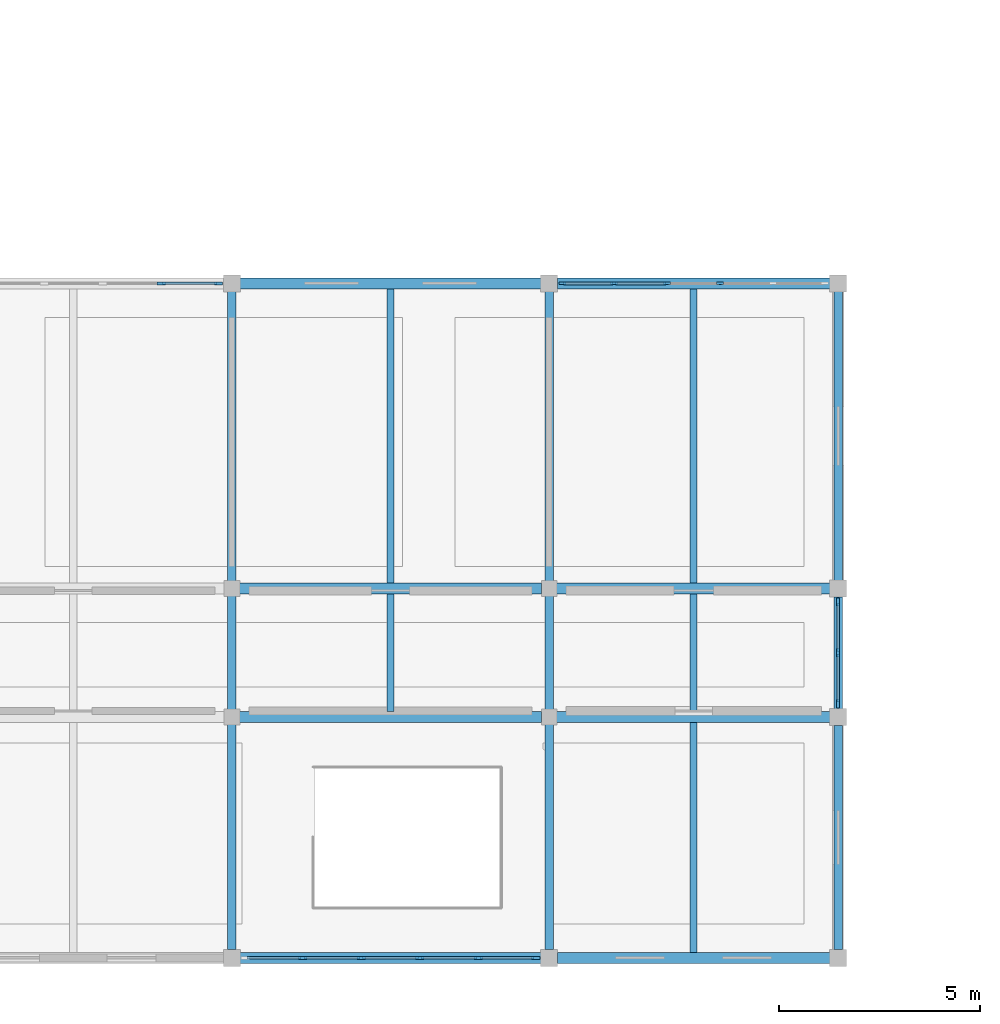
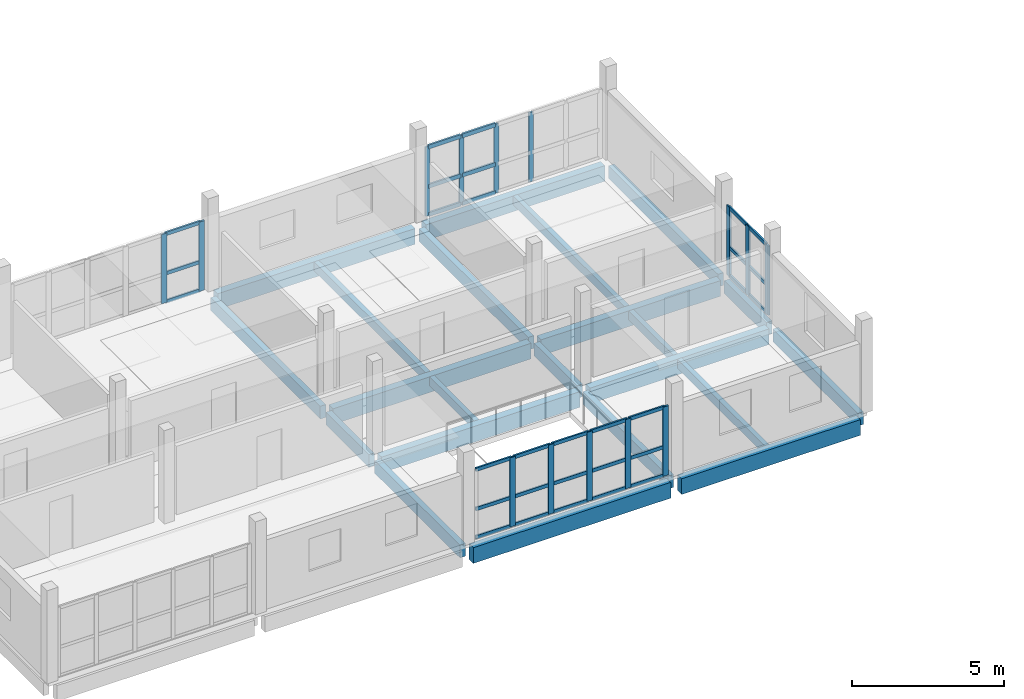
# One storey, part 15 of 66: 44 members, 22 beams, 4 elements without a shape of their own.
"""IFC4 building model written with IfcOpenShell, lengths in metres."""

import ifcopenshell
import ifcopenshell.guid

model = None  # the IFC model being written
_history = None  # IfcOwnerHistory: only IFC2X3 demands one
_inside = {}  # id of a spatial element -> (the spatial element, [elements in it])
_under = {}  # id of a project, library or spatial element -> (it, [spatial elements below it])
_declared = {}  # id of a project -> (the project, [libraries it declares])
_typed = {}  # id of a type object -> (the type object, [elements of that type])
_made_of = {}  # id of a material, layer set ... -> (it, [elements and type objects made of it])


def new_model(schema):
    """Start an empty IFC model of exactly this schema.

    Asked for "IFC4X3", IfcOpenShell would pick the latest addendum, in which some entities
    have other attributes; the version numbers below select the first issue.
    IFC2X3 requires an IfcOwnerHistory on every rooted entity: one is made here for all.
    """
    global model, _history
    if schema == "IFC4X3":
        model = ifcopenshell.file(schema_version=(4, 3, 0, 0))
    else:
        model = ifcopenshell.file(schema=schema)
    _inside.clear()
    _under.clear()
    _declared.clear()
    _typed.clear()
    _made_of.clear()
    _history = None
    if model.schema == "IFC2X3":
        org = make("IfcOrganization", Name="unknown")
        user = make(
            "IfcPersonAndOrganization",
            ThePerson=make("IfcPerson", FamilyName="unknown"),
            TheOrganization=org,
        )
        app = make(
            "IfcApplication",
            ApplicationDeveloper=org,
            Version="unknown",
            ApplicationFullName="unknown",
            ApplicationIdentifier="unknown",
        )
        _history = make(
            "IfcOwnerHistory",
            OwningUser=user,
            OwningApplication=app,
            ChangeAction="ADDED",
            CreationDate=0,
        )
    return model


def make(cls, **values):
    """One entity of the class cls with the attributes given. An attribute that is None is left unset."""
    return model.create_entity(
        cls, **{name: value for name, value in values.items() if value is not None}
    )


def rooted(cls, **values):
    """An entity with a GlobalId (a new one), such as an element, a storey or a relation."""
    return make(cls, GlobalId=ifcopenshell.guid.new(), OwnerHistory=_history, **values)


def si_unit(unit_type, name, prefix=None):
    """IfcSIUnit, for example si_unit("LENGTHUNIT", "METRE", prefix="MILLI")."""
    return make("IfcSIUnit", UnitType=unit_type, Prefix=prefix, Name=name)


def assignment(units):
    """IfcUnitAssignment: the units of a project."""
    return None if units is None else make("IfcUnitAssignment", Units=units)


def point(xyz):
    """IfcCartesianPoint."""
    return None if xyz is None else make("IfcCartesianPoint", Coordinates=xyz)


def direction(xyz):
    """IfcDirection."""
    return None if xyz is None else make("IfcDirection", DirectionRatios=xyz)


def frame(location, z_axis=None, x_axis=None):
    """IfcAxis2Placement3D, a coordinate frame: its origin and axes. An axis left out is left unset."""
    return make(
        "IfcAxis2Placement3D",
        Location=point(location),
        Axis=direction(z_axis),
        RefDirection=direction(x_axis),
    )


def frame_2d(location, x_axis=None):
    """IfcAxis2Placement2D, a coordinate frame in the plane: its origin and x axis."""
    return make(
        "IfcAxis2Placement2D", Location=point(location), RefDirection=direction(x_axis)
    )


def origin():
    """The frame at (0, 0, 0) with its axes left unset."""
    return frame((0.0, 0.0, 0.0))


def origin_2d():
    """The frame at (0, 0) in the plane with its x axis left unset."""
    return frame_2d((0.0, 0.0))


def place(relative_to, where):
    """IfcLocalPlacement: puts the frame where relative to a parent placement (None: the world)."""
    return make(
        "IfcLocalPlacement", PlacementRelTo=relative_to, RelativePlacement=where
    )


def context(
    kind, dimensions, precision=None, world=None, true_north=None, identifier=None
):
    """IfcGeometricRepresentationContext, for example the 3D "Model" context."""
    return make(
        "IfcGeometricRepresentationContext",
        ContextIdentifier=identifier,
        ContextType=kind,
        CoordinateSpaceDimension=dimensions,
        Precision=precision,
        WorldCoordinateSystem=world,
        TrueNorth=true_north,
    )


def subcontext(parent, identifier, kind, view, scale=None):
    """IfcGeometricRepresentationSubContext, for example "Body" below "Model"."""
    return make(
        "IfcGeometricRepresentationSubContext",
        ContextIdentifier=identifier,
        ContextType=kind,
        ParentContext=parent,
        TargetScale=scale,
        TargetView=view,
    )


def project(units=None, contexts=None):
    """IfcProject with its units and contexts."""
    return rooted(
        "IfcProject",
        Name="project",
        RepresentationContexts=contexts,
        UnitsInContext=assignment(units),
    )


def spatial(cls, under=None, at=None, **own):
    """A site, building, storey or space (cls), placed at a placement, below another one or the project."""
    s = rooted(cls, ObjectPlacement=at, **own)
    if under is not None:
        _under.setdefault(under.id(), (under, []))[1].append(s)
    return s


def profile(cls, at=None, kind="AREA", **sizes):
    """A parametric profile (cls). Its sizes go by their IFC names, for example OverallWidth=200.0."""
    return make(cls, ProfileType=kind, Position=at, **sizes)


def rectangle(**sizes):
    """IfcRectangleProfileDef."""
    return profile("IfcRectangleProfileDef", **sizes)


def extrude(swept, where, along, depth):
    """IfcExtrudedAreaSolid: the profile swept, set in the frame where, extruded along a direction by depth."""
    return make(
        "IfcExtrudedAreaSolid",
        SweptArea=swept,
        Position=where,
        ExtrudedDirection=direction(along),
        Depth=depth,
    )


def shape(context_of_items, identifier, shape_type, items):
    """IfcShapeRepresentation: the items that make up one representation, for example the "Body"."""
    return make(
        "IfcShapeRepresentation",
        ContextOfItems=context_of_items,
        RepresentationIdentifier=identifier,
        RepresentationType=shape_type,
        Items=items,
    )


def material(Name=None, Category=None):
    """IfcMaterial."""
    return make("IfcMaterial", Name=Name, Category=Category)


def layer(
    of_material, thickness, ventilated=None, Name=None, Category=None, Priority=None
):
    """IfcMaterialLayer: one layer of a wall or slab, of a material (None: an air gap)."""
    return make(
        "IfcMaterialLayer",
        Material=of_material,
        LayerThickness=thickness,
        IsVentilated=ventilated,
        Name=Name,
        Category=Category,
        Priority=Priority,
    )


def layer_set(layers, Name=None):
    """IfcMaterialLayerSet."""
    return make("IfcMaterialLayerSet", MaterialLayers=layers, LayerSetName=Name)


def material_profile(
    of_material, cross_section, Name=None, Category=None, Priority=None
):
    """IfcMaterialProfile: a cross section and its material."""
    return make(
        "IfcMaterialProfile",
        Name=Name,
        Material=of_material,
        Profile=cross_section,
        Priority=Priority,
        Category=Category,
    )


def profile_set(profiles, Name=None, composite=None):
    """IfcMaterialProfileSet."""
    return make(
        "IfcMaterialProfileSet",
        Name=Name,
        MaterialProfiles=profiles,
        CompositeProfile=composite,
    )


def made_of(thing, what):
    """Note that an element or type object is made of a material, layer set ...; save() writes the relation."""
    if what is not None:
        _made_of.setdefault(what.id(), (what, []))[1].append(thing)
    return thing


def type_object(cls, material=None, **own):
    """A type object (cls), such as IfcWallType, which elements share."""
    return made_of(rooted(cls, **own), material)


def element(
    cls,
    number,
    at=None,
    inside=None,
    cuts=None,
    type_object=None,
    material=None,
    context=None,
    identifier="Body",
    shape_type=None,
    held_by="IfcProductDefinitionShape",
    body=None,
    shapes=None,
    **own,
):
    """One element of the class cls, such as IfcWall. Its Tag is "e" and its number.

    at: its placement. inside: the storey or other place that contains it. cuts: it is an
    opening in that element (IfcRelVoidsElement). A single representation is given by context,
    identifier, shape_type and body (its items); several are given by shapes. held_by: the class
    of the entity that holds the representations. save() writes the other relations.
    """
    e = rooted(cls, Tag="e%d" % number, ObjectPlacement=at, **own)
    if body is not None:
        shapes = [shape(context, identifier, shape_type, body)]
    if shapes is not None:
        e.Representation = make(held_by, Representations=shapes)
    if inside is not None:
        _inside.setdefault(inside.id(), (inside, []))[1].append(e)
    if cuts is not None:
        rooted(
            "IfcRelVoidsElement", RelatingBuildingElement=cuts, RelatedOpeningElement=e
        )
    if type_object is not None:
        _typed.setdefault(type_object.id(), (type_object, []))[1].append(e)
    return made_of(e, material)


def aggregate(whole, parts):
    """IfcRelAggregates: a whole, such as a stair, and the parts it consists of."""
    return rooted("IfcRelAggregates", RelatingObject=whole, RelatedObjects=parts)


def save(model, path):
    """Write the relations noted so far, then the file.

    IfcRelAggregates (storeys below a building ...), IfcRelContainedInSpatialStructure (elements
    in a storey), IfcRelDefinesByType, IfcRelAssociatesMaterial and IfcRelDeclares: one each for
    every whole, place, type object, material and project.
    """
    for whole, parts in _under.values():
        aggregate(whole, parts)
    for where, things in _inside.values():
        rooted(
            "IfcRelContainedInSpatialStructure",
            RelatedElements=things,
            RelatingStructure=where,
        )
    for kind, things in _typed.values():
        rooted("IfcRelDefinesByType", RelatedObjects=things, RelatingType=kind)
    for what, things in _made_of.values():
        rooted("IfcRelAssociatesMaterial", RelatedObjects=things, RelatingMaterial=what)
    for by, libraries in _declared.values():
        rooted("IfcRelDeclares", RelatingContext=by, RelatedDefinitions=libraries)
    model.write(path)


model = new_model("IFC4")

# Units and contexts
model_context = context("Model", 3, precision=1e-05, world=origin(), true_north=direction((0.0, 1.0)))
body_context = subcontext(model_context, "Body", "Model", "MODEL_VIEW")
ifc_project = project(units=[si_unit("LENGTHUNIT", "METRE"), si_unit("AREAUNIT", "SQUARE_METRE"), si_unit("VOLUMEUNIT", "CUBIC_METRE"), si_unit("PLANEANGLEUNIT", "RADIAN"), si_unit("MASSUNIT", "GRAM", prefix="KILO")], contexts=[model_context])

# Site, building, storey
site_placement = place(None, origin())
site = spatial("IfcSite", under=ifc_project, at=site_placement, CompositionType="ELEMENT")
building_placement = place(site_placement, origin())
building = spatial("IfcBuilding", under=site, at=building_placement, Name="Caldaven Crescent School", CompositionType="ELEMENT")
storey_placement = place(building_placement, frame((0.0, 0.0, 8.159912109375)))
storey = spatial("IfcBuildingStorey", under=building, at=storey_placement, Name="L02", CompositionType="ELEMENT", Elevation=8.159912109375)

# Beams
ifc_material_1 = material(Name="Glulam MLE24h (GL28h)", Category="wood")
ifc_material_profile_1 = material_profile(ifc_material_1, rectangle(XDim=0.2099609375, YDim=0.510009765625, at=origin_2d()), Name="MLE 210x510")
ifc_profile_set_1 = profile_set([ifc_material_profile_1], Name="Glulam MLE24h (GL28h)")
beam_type_1 = type_object("IfcBeamType", Name="BM-GL51", PredefinedType="BEAM", material=ifc_profile_set_1)
beam_1_placement = place(storey_placement, frame((41.300048828125, 4.405029296875, -0.5048828125), z_axis=(0.0, 1.0, 0.0), x_axis=(-1.0, 0.0, 0.0)))
element("IfcBeam", 1, at=beam_1_placement, inside=storey, type_object=beam_type_1, Name="BMY-V4S-L02-0652", PredefinedType="BEAM", context=body_context, shape_type="SweptSolid", body=[
    extrude(rectangle(XDim=0.2099609375, YDim=0.510009765625, at=origin_2d()), origin(), (0.0, 0.0, 1.0), 5.60498046875),
])
beam_2_placement = place(storey_placement, frame((41.300048828125, 10.389892578125, -0.5048828125), z_axis=(0.0, 1.0, 0.0), x_axis=(-1.0, 0.0, 0.0)))
element("IfcBeam", 2, at=beam_2_placement, inside=storey, type_object=beam_type_1, Name="BMY-V4S-L02-0653", PredefinedType="BEAM", context=body_context, shape_type="SweptSolid", body=[
    extrude(rectangle(XDim=0.2099609375, YDim=0.510009765625, at=origin_2d()), origin(), (0.0, 0.0, 1.0), 2.820068359375),
])
beam_3_placement = place(storey_placement, frame((41.300048828125, 13.590087890625, -0.5048828125), z_axis=(0.0, 1.0, 0.0), x_axis=(-1.0, 0.0, 0.0)))
element("IfcBeam", 3, at=beam_3_placement, inside=storey, type_object=beam_type_1, Name="BMY-V4S-L02-0654", PredefinedType="BEAM", context=body_context, shape_type="SweptSolid", body=[
    extrude(rectangle(XDim=0.2099609375, YDim=0.510009765625, at=origin_2d()), origin(), (0.0, 0.0, 1.0), 7.204833984375),
])
beam_4_placement = place(storey_placement, frame((49.199951171875, 4.405029296875, -0.5048828125), z_axis=(0.0, 1.0, 0.0), x_axis=(-1.0, 0.0, 0.0)))
element("IfcBeam", 4, at=beam_4_placement, inside=storey, type_object=beam_type_1, Name="BMY-V4S-L02-0655", PredefinedType="BEAM", context=body_context, shape_type="SweptSolid", body=[
    extrude(rectangle(XDim=0.2099609375, YDim=0.510009765625, at=origin_2d()), origin(), (0.0, 0.0, 1.0), 5.60498046875),
])
beam_5_placement = place(storey_placement, frame((49.199951171875, 10.389892578125, -0.5048828125), z_axis=(0.0, 1.0, 0.0), x_axis=(-1.0, 0.0, 0.0)))
element("IfcBeam", 5, at=beam_5_placement, inside=storey, type_object=beam_type_1, Name="BMY-V4S-L02-0656", PredefinedType="BEAM", context=body_context, shape_type="SweptSolid", body=[
    extrude(rectangle(XDim=0.2099609375, YDim=0.510009765625, at=origin_2d()), origin(), (0.0, 0.0, 1.0), 2.820068359375),
])
beam_6_placement = place(storey_placement, frame((49.199951171875, 13.590087890625, -0.5048828125), z_axis=(0.0, 1.0, 0.0), x_axis=(-1.0, 0.0, 0.0)))
element("IfcBeam", 6, at=beam_6_placement, inside=storey, type_object=beam_type_1, Name="BMY-V4S-L02-0657", PredefinedType="BEAM", context=body_context, shape_type="SweptSolid", body=[
    extrude(rectangle(XDim=0.2099609375, YDim=0.510009765625, at=origin_2d()), origin(), (0.0, 0.0, 1.0), 7.204833984375),
])
beam_7_placement = place(storey_placement, frame((56.39990234375, 4.405029296875, -0.5048828125), z_axis=(0.0, 1.0, 0.0), x_axis=(-1.0, 0.0, 0.0)))
element("IfcBeam", 7, at=beam_7_placement, inside=storey, type_object=beam_type_1, Name="BMY-V4S-L02-0658", PredefinedType="BEAM", context=body_context, shape_type="SweptSolid", body=[
    extrude(rectangle(XDim=0.2099609375, YDim=0.510009765625, at=origin_2d()), origin(), (0.0, 0.0, 1.0), 5.590087890625),
])
beam_8_placement = place(storey_placement, frame((56.39990234375, 10.405029296875, -0.5048828125), z_axis=(0.0, 1.0, 0.0), x_axis=(-1.0, 0.0, 0.0)))
element("IfcBeam", 8, at=beam_8_placement, inside=storey, type_object=beam_type_1, Name="BMY-V4S-L02-0659", PredefinedType="BEAM", context=body_context, shape_type="SweptSolid", body=[
    extrude(rectangle(XDim=0.2099609375, YDim=0.510009765625, at=origin_2d()), origin(), (0.0, 0.0, 1.0), 2.7900390625),
])
beam_9_placement = place(storey_placement, frame((56.39990234375, 13.60498046875, -0.5048828125), z_axis=(0.0, 1.0, 0.0), x_axis=(-1.0, 0.0, 0.0)))
element("IfcBeam", 9, at=beam_9_placement, inside=storey, type_object=beam_type_1, Name="BMY-V4S-L02-0660", PredefinedType="BEAM", context=body_context, shape_type="SweptSolid", body=[
    extrude(rectangle(XDim=0.2099609375, YDim=0.510009765625, at=origin_2d()), origin(), (0.0, 0.0, 1.0), 7.18994140625),
])
ifc_material_profile_2 = material_profile(ifc_material_1, rectangle(XDim=0.280029296875, YDim=0.6298828125, at=origin_2d()), Name="MLE 280x630")
ifc_profile_set_2 = profile_set([ifc_material_profile_2], Name="Glulam MLE24h (GL28h)")
beam_type_2 = type_object("IfcBeamType", Name="BM-GL63", PredefinedType="BEAM", material=ifc_profile_set_2)
beam_10_placement = place(storey_placement, frame((41.5048828125, 4.199951171875, -0.56494140625), z_axis=(1.0, 0.0, 0.0), x_axis=(0.0, 1.0, 0.0)))
element("IfcBeam", 10, at=beam_10_placement, inside=storey, type_object=beam_type_2, Name="BMX-V4S-L02-0632", PredefinedType="BEAM", context=body_context, shape_type="SweptSolid", body=[
    extrude(rectangle(XDim=0.280029296875, YDim=0.6298828125, at=origin_2d()), origin(), (0.0, 0.0, 1.0), 7.490234375),
])
beam_11_placement = place(storey_placement, frame((49.405029296875, 4.199951171875, -0.56494140625), z_axis=(1.0, 0.0, 0.0), x_axis=(0.0, 1.0, 0.0)))
element("IfcBeam", 11, at=beam_11_placement, inside=storey, type_object=beam_type_2, Name="BMX-V4S-L02-0633", PredefinedType="BEAM", context=body_context, shape_type="SweptSolid", body=[
    extrude(rectangle(XDim=0.280029296875, YDim=0.6298828125, at=origin_2d()), origin(), (0.0, 0.0, 1.0), 6.7900390625),
])
beam_12_placement = place(storey_placement, frame((41.489990234375, 10.199951171875, -0.56494140625), z_axis=(1.0, 0.0, 0.0), x_axis=(0.0, 1.0, 0.0)))
element("IfcBeam", 12, at=beam_12_placement, inside=storey, type_object=beam_type_2, Name="BMX-V4S-L02-0636", PredefinedType="BEAM", context=body_context, shape_type="SweptSolid", body=[
    extrude(rectangle(XDim=0.280029296875, YDim=0.6298828125, at=origin_2d()), origin(), (0.0, 0.0, 1.0), 7.52001953125),
])
beam_13_placement = place(storey_placement, frame((49.389892578125, 10.199951171875, -0.56494140625), z_axis=(1.0, 0.0, 0.0), x_axis=(0.0, 1.0, 0.0)))
element("IfcBeam", 13, at=beam_13_placement, inside=storey, type_object=beam_type_2, Name="BMX-V4S-L02-0637", PredefinedType="BEAM", context=body_context, shape_type="SweptSolid", body=[
    extrude(rectangle(XDim=0.280029296875, YDim=0.6298828125, at=origin_2d()), origin(), (0.0, 0.0, 1.0), 6.80517578125),
])
beam_14_placement = place(storey_placement, frame((41.489990234375, 13.39990234375, -0.56494140625), z_axis=(1.0, 0.0, 0.0), x_axis=(0.0, 1.0, 0.0)))
element("IfcBeam", 14, at=beam_14_placement, inside=storey, type_object=beam_type_2, Name="BMX-V4S-L02-0640", PredefinedType="BEAM", context=body_context, shape_type="SweptSolid", body=[
    extrude(rectangle(XDim=0.280029296875, YDim=0.6298828125, at=origin_2d()), origin(), (0.0, 0.0, 1.0), 7.52001953125),
])
beam_15_placement = place(storey_placement, frame((49.389892578125, 13.39990234375, -0.56494140625), z_axis=(1.0, 0.0, 0.0), x_axis=(0.0, 1.0, 0.0)))
element("IfcBeam", 15, at=beam_15_placement, inside=storey, type_object=beam_type_2, Name="BMX-V4S-L02-0641", PredefinedType="BEAM", context=body_context, shape_type="SweptSolid", body=[
    extrude(rectangle(XDim=0.280029296875, YDim=0.6298828125, at=origin_2d()), origin(), (0.0, 0.0, 1.0), 6.80517578125),
])
beam_16_placement = place(storey_placement, frame((41.5048828125, 21.0, -0.56494140625), z_axis=(1.0, 0.0, 0.0), x_axis=(0.0, 1.0, 0.0)))
element("IfcBeam", 16, at=beam_16_placement, inside=storey, type_object=beam_type_2, Name="BMX-V4S-L02-0644", PredefinedType="BEAM", context=body_context, shape_type="SweptSolid", body=[
    extrude(rectangle(XDim=0.280029296875, YDim=0.6298828125, at=origin_2d()), origin(), (0.0, 0.0, 1.0), 7.490234375),
])
beam_17_placement = place(storey_placement, frame((49.405029296875, 21.0, -0.56494140625), z_axis=(1.0, 0.0, 0.0), x_axis=(0.0, 1.0, 0.0)))
element("IfcBeam", 17, at=beam_17_placement, inside=storey, type_object=beam_type_2, Name="BMX-V4S-L02-0645", PredefinedType="BEAM", context=body_context, shape_type="SweptSolid", body=[
    extrude(rectangle(XDim=0.280029296875, YDim=0.6298828125, at=origin_2d()), origin(), (0.0, 0.0, 1.0), 6.7900390625),
])

# Curtain wall, members
ifc_material_2 = material(Name="Anodised aluminium AA 6063-T6 and low-E double glazing", Category="aluminium")
ifc_layer_1 = layer(ifc_material_2, 0.169921875)
ifc_layer_set_1 = layer_set([ifc_layer_1], Name="Anodised aluminium AA 6063-T6 and low-E double glazing")
curtain_wall_type_1 = type_object("IfcCurtainWallType", Name="CW-SYS1", PredefinedType="NOTDEFINED", material=ifc_layer_set_1)
curtain_wall_1_placement = place(storey_placement, origin())
curtain_wall_1 = element("IfcCurtainWall", 18, at=curtain_wall_1_placement, inside=storey, type_object=curtain_wall_type_1, Name="CW-L02-102", PredefinedType="NOTDEFINED")
ifc_material_3 = material(Name="Anodised aluminium AA 6063-T6", Category="aluminium")
ifc_material_profile_3 = material_profile(ifc_material_3, rectangle(XDim=0.06494140625, YDim=0.179931640625, at=origin_2d()), Name="CWM 65x180")
ifc_profile_set_3 = profile_set([ifc_material_profile_3], Name="Anodised aluminium AA 6063-T6")
member_type_1 = type_object("IfcMemberType", Name="CWM-T2", PredefinedType="MULLION", material=ifc_profile_set_3)
member_1_placement = place(storey_placement, frame((49.532470703125, 21.0, 0.0), z_axis=(0.0, 0.0, 1.0), x_axis=(0.0, 1.0, 0.0)))
member_1 = element("IfcMember", 19, at=member_1_placement, type_object=member_type_1, Name="CW1 mullion 1", PredefinedType="MULLION", context=body_context, shape_type="SweptSolid", body=[
    extrude(rectangle(XDim=0.06494140625, YDim=0.179931640625, at=origin_2d()), origin(), (0.0, 0.0, 1.0), 2.780029296875),
])
member_2_placement = place(storey_placement, frame((50.820068359375, 21.0, 0.0), z_axis=(0.0, 0.0, 1.0), x_axis=(0.0, 1.0, 0.0)))
member_2 = element("IfcMember", 20, at=member_2_placement, type_object=member_type_1, Name="CW1 mullion 2", PredefinedType="MULLION", context=body_context, shape_type="SweptSolid", body=[
    extrude(rectangle(XDim=0.06494140625, YDim=0.179931640625, at=origin_2d()), origin(), (0.0, 0.0, 1.0), 2.780029296875),
])
member_3_placement = place(storey_placement, frame((52.139892578125, 21.0, 0.0), z_axis=(0.0, 0.0, 1.0), x_axis=(0.0, 1.0, 0.0)))
member_3 = element("IfcMember", 21, at=member_3_placement, type_object=member_type_1, Name="CW1 mullion 3", PredefinedType="MULLION", context=body_context, shape_type="SweptSolid", body=[
    extrude(rectangle(XDim=0.06494140625, YDim=0.179931640625, at=origin_2d()), origin(), (0.0, 0.0, 1.0), 2.780029296875),
])
member_4_placement = place(storey_placement, frame((53.4599609375, 21.0, 0.0), z_axis=(0.0, 0.0, 1.0), x_axis=(0.0, 1.0, 0.0)))
member_4 = element("IfcMember", 22, at=member_4_placement, type_object=member_type_1, Name="CW1 mullion 4", PredefinedType="MULLION", context=body_context, shape_type="SweptSolid", body=[
    extrude(rectangle(XDim=0.06494140625, YDim=0.179931640625, at=origin_2d()), origin(), (0.0, 0.0, 1.0), 2.780029296875),
])

ifc_layer_2 = layer(ifc_material_2, 0.2099609375)
ifc_layer_set_2 = layer_set([ifc_layer_2], Name="Anodised aluminium AA 6063-T6 and low-E double glazing")
curtain_wall_type_2 = type_object("IfcCurtainWallType", Name="CW-SYS3", PredefinedType="NOTDEFINED", material=ifc_layer_set_2)
curtain_wall_2_placement = place(storey_placement, origin())
curtain_wall_2 = element("IfcCurtainWall", 23, at=curtain_wall_2_placement, inside=storey, type_object=curtain_wall_type_2, Name="CW-L02-100", PredefinedType="NOTDEFINED")
ifc_material_profile_4 = material_profile(ifc_material_3, rectangle(XDim=0.070068359375, YDim=0.2099609375, at=origin_2d()), Name="CWM 70x210")
ifc_profile_set_4 = profile_set([ifc_material_profile_4], Name="Anodised aluminium AA 6063-T6")
member_type_2 = type_object("IfcMemberType", Name="CWM-T3", PredefinedType="MULLION", material=ifc_profile_set_4)
member_5_placement = place(storey_placement, frame((43.06005859375, 4.199951171875, 0.0), z_axis=(0.0, 0.0, 1.0), x_axis=(0.0, 1.0, 0.0)))
member_5 = element("IfcMember", 24, at=member_5_placement, type_object=member_type_2, Name="CW3 mullion 2", PredefinedType="MULLION", context=body_context, shape_type="SweptSolid", body=[
    extrude(rectangle(XDim=0.070068359375, YDim=0.2099609375, at=origin_2d()), origin(), (0.0, 0.0, 1.0), 2.780029296875),
])
member_6_placement = place(storey_placement, frame((44.52001953125, 4.199951171875, 0.0), z_axis=(0.0, 0.0, 1.0), x_axis=(0.0, 1.0, 0.0)))
member_6 = element("IfcMember", 25, at=member_6_placement, type_object=member_type_2, Name="CW3 mullion 3", PredefinedType="MULLION", context=body_context, shape_type="SweptSolid", body=[
    extrude(rectangle(XDim=0.070068359375, YDim=0.2099609375, at=origin_2d()), origin(), (0.0, 0.0, 1.0), 2.780029296875),
])
member_7_placement = place(storey_placement, frame((45.97998046875, 4.199951171875, 0.0), z_axis=(0.0, 0.0, 1.0), x_axis=(0.0, 1.0, 0.0)))
member_7 = element("IfcMember", 26, at=member_7_placement, type_object=member_type_2, Name="CW3 mullion 4", PredefinedType="MULLION", context=body_context, shape_type="SweptSolid", body=[
    extrude(rectangle(XDim=0.070068359375, YDim=0.2099609375, at=origin_2d()), origin(), (0.0, 0.0, 1.0), 2.780029296875),
])
member_8_placement = place(storey_placement, frame((47.43994140625, 4.199951171875, 0.0), z_axis=(0.0, 0.0, 1.0), x_axis=(0.0, 1.0, 0.0)))
member_8 = element("IfcMember", 27, at=member_8_placement, type_object=member_type_2, Name="CW3 mullion 5", PredefinedType="MULLION", context=body_context, shape_type="SweptSolid", body=[
    extrude(rectangle(XDim=0.070068359375, YDim=0.2099609375, at=origin_2d()), origin(), (0.0, 0.0, 1.0), 2.780029296875),
])
member_9_placement = place(storey_placement, frame((48.864990234375, 4.199951171875, 0.0), z_axis=(0.0, 0.0, 1.0), x_axis=(0.0, 1.0, 0.0)))
member_9 = element("IfcMember", 28, at=member_9_placement, type_object=member_type_2, Name="CW3 mullion 6", PredefinedType="MULLION", context=body_context, shape_type="SweptSolid", body=[
    extrude(rectangle(XDim=0.070068359375, YDim=0.2099609375, at=origin_2d()), origin(), (0.0, 0.0, 1.0), 2.780029296875),
])

curtain_wall_3_placement = place(storey_placement, origin())
curtain_wall_3 = element("IfcCurtainWall", 29, at=curtain_wall_3_placement, inside=storey, type_object=curtain_wall_type_2, Name="CW-L02-101", PredefinedType="NOTDEFINED")
member_10_placement = place(storey_placement, frame((39.5400390625, 21.0, 0.0), z_axis=(0.0, 0.0, 1.0), x_axis=(0.0, 1.0, 0.0)))
member_10 = element("IfcMember", 30, at=member_10_placement, type_object=member_type_2, Name="CW3 mullion 5", PredefinedType="MULLION", context=body_context, shape_type="SweptSolid", body=[
    extrude(rectangle(XDim=0.070068359375, YDim=0.2099609375, at=origin_2d()), origin(), (0.0, 0.0, 1.0), 2.780029296875),
])
member_11_placement = place(storey_placement, frame((40.965087890625, 21.0, 0.0), z_axis=(0.0, 0.0, 1.0), x_axis=(0.0, 1.0, 0.0)))
member_11 = element("IfcMember", 31, at=member_11_placement, type_object=member_type_2, Name="CW3 mullion 6", PredefinedType="MULLION", context=body_context, shape_type="SweptSolid", body=[
    extrude(rectangle(XDim=0.070068359375, YDim=0.2099609375, at=origin_2d()), origin(), (0.0, 0.0, 1.0), 2.780029296875),
])

curtain_wall_4_placement = place(storey_placement, origin())
curtain_wall_4 = element("IfcCurtainWall", 32, at=curtain_wall_4_placement, inside=storey, type_object=curtain_wall_type_2, Name="CW-L02-104", PredefinedType="NOTDEFINED")
member_12_placement = place(storey_placement, frame((56.39990234375, 10.534912109375, 0.0), z_axis=(0.0, 0.0, 1.0), x_axis=(-1.0, 0.0, 0.0)))
member_12 = element("IfcMember", 33, at=member_12_placement, type_object=member_type_2, Name="CW3 mullion 1", PredefinedType="MULLION", context=body_context, shape_type="SweptSolid", body=[
    extrude(rectangle(XDim=0.070068359375, YDim=0.2099609375, at=origin_2d()), origin(), (0.0, 0.0, 1.0), 2.780029296875),
])
member_13_placement = place(storey_placement, frame((56.39990234375, 11.800048828125, 0.0), z_axis=(0.0, 0.0, 1.0), x_axis=(-1.0, 0.0, 0.0)))
member_13 = element("IfcMember", 34, at=member_13_placement, type_object=member_type_2, Name="CW3 mullion 2", PredefinedType="MULLION", context=body_context, shape_type="SweptSolid", body=[
    extrude(rectangle(XDim=0.070068359375, YDim=0.2099609375, at=origin_2d()), origin(), (0.0, 0.0, 1.0), 2.780029296875),
])
member_14_placement = place(storey_placement, frame((56.39990234375, 13.06494140625, 0.0), z_axis=(0.0, 0.0, 1.0), x_axis=(-1.0, 0.0, 0.0)))
member_14 = element("IfcMember", 35, at=member_14_placement, type_object=member_type_2, Name="CW3 mullion 3", PredefinedType="MULLION", context=body_context, shape_type="SweptSolid", body=[
    extrude(rectangle(XDim=0.070068359375, YDim=0.2099609375, at=origin_2d()), origin(), (0.0, 0.0, 1.0), 2.780029296875),
])

# Member
ifc_material_profile_5 = material_profile(ifc_material_3, rectangle(XDim=0.06494140625, YDim=0.139892578125, at=origin_2d()), Name="CWT 65x140")
ifc_profile_set_5 = profile_set([ifc_material_profile_5], Name="Anodised aluminium AA 6063-T6")
member_type_3 = type_object("IfcMemberType", Name="CWT-T2", PredefinedType="USERDEFINED", material=ifc_profile_set_5)
member_15_placement = place(storey_placement, frame((41.669921875, 4.199951171875, 0.032470703125), z_axis=(1.0, 0.0, 0.0), x_axis=(0.0, 1.0, 0.0)))
member_15 = element("IfcMember", 36, at=member_15_placement, type_object=member_type_3, Name="CW3 transom 1.1", ObjectType="TRANSOM", PredefinedType="USERDEFINED", context=body_context, shape_type="SweptSolid", body=[
    extrude(rectangle(XDim=0.06494140625, YDim=0.139892578125, at=origin_2d()), origin(), (0.0, 0.0, 1.0), 1.35498046875),
])

member_16_placement = place(storey_placement, frame((41.669921875, 4.199951171875, 1.16796875), z_axis=(1.0, 0.0, 0.0), x_axis=(0.0, 1.0, 0.0)))
member_16 = element("IfcMember", 37, at=member_16_placement, type_object=member_type_3, Name="CW3 transom 1.2", ObjectType="TRANSOM", PredefinedType="USERDEFINED", context=body_context, shape_type="SweptSolid", body=[
    extrude(rectangle(XDim=0.06494140625, YDim=0.139892578125, at=origin_2d()), origin(), (0.0, 0.0, 1.0), 1.35498046875),
])

member_17_placement = place(storey_placement, frame((41.669921875, 4.199951171875, 2.74755859375), z_axis=(1.0, 0.0, 0.0), x_axis=(0.0, 1.0, 0.0)))
member_17 = element("IfcMember", 38, at=member_17_placement, type_object=member_type_3, Name="CW3 transom 1.3", ObjectType="TRANSOM", PredefinedType="USERDEFINED", context=body_context, shape_type="SweptSolid", body=[
    extrude(rectangle(XDim=0.06494140625, YDim=0.139892578125, at=origin_2d()), origin(), (0.0, 0.0, 1.0), 1.35498046875),
])

member_18_placement = place(storey_placement, frame((43.094970703125, 4.199951171875, 0.032470703125), z_axis=(1.0, 0.0, 0.0), x_axis=(0.0, 1.0, 0.0)))
member_18 = element("IfcMember", 39, at=member_18_placement, type_object=member_type_3, Name="CW3 transom 2.1", ObjectType="TRANSOM", PredefinedType="USERDEFINED", context=body_context, shape_type="SweptSolid", body=[
    extrude(rectangle(XDim=0.06494140625, YDim=0.139892578125, at=origin_2d()), origin(), (0.0, 0.0, 1.0), 1.39013671875),
])

member_19_placement = place(storey_placement, frame((43.094970703125, 4.199951171875, 1.16796875), z_axis=(1.0, 0.0, 0.0), x_axis=(0.0, 1.0, 0.0)))
member_19 = element("IfcMember", 40, at=member_19_placement, type_object=member_type_3, Name="CW3 transom 2.2", ObjectType="TRANSOM", PredefinedType="USERDEFINED", context=body_context, shape_type="SweptSolid", body=[
    extrude(rectangle(XDim=0.06494140625, YDim=0.139892578125, at=origin_2d()), origin(), (0.0, 0.0, 1.0), 1.39013671875),
])

member_20_placement = place(storey_placement, frame((43.094970703125, 4.199951171875, 2.74755859375), z_axis=(1.0, 0.0, 0.0), x_axis=(0.0, 1.0, 0.0)))
member_20 = element("IfcMember", 41, at=member_20_placement, type_object=member_type_3, Name="CW3 transom 2.3", ObjectType="TRANSOM", PredefinedType="USERDEFINED", context=body_context, shape_type="SweptSolid", body=[
    extrude(rectangle(XDim=0.06494140625, YDim=0.139892578125, at=origin_2d()), origin(), (0.0, 0.0, 1.0), 1.39013671875),
])

member_21_placement = place(storey_placement, frame((44.554931640625, 4.199951171875, 0.032470703125), z_axis=(1.0, 0.0, 0.0), x_axis=(0.0, 1.0, 0.0)))
member_21 = element("IfcMember", 42, at=member_21_placement, type_object=member_type_3, Name="CW3 transom 3.1", ObjectType="TRANSOM", PredefinedType="USERDEFINED", context=body_context, shape_type="SweptSolid", body=[
    extrude(rectangle(XDim=0.06494140625, YDim=0.139892578125, at=origin_2d()), origin(), (0.0, 0.0, 1.0), 1.39013671875),
])

member_22_placement = place(storey_placement, frame((44.554931640625, 4.199951171875, 1.16796875), z_axis=(1.0, 0.0, 0.0), x_axis=(0.0, 1.0, 0.0)))
member_22 = element("IfcMember", 43, at=member_22_placement, type_object=member_type_3, Name="CW3 transom 3.2", ObjectType="TRANSOM", PredefinedType="USERDEFINED", context=body_context, shape_type="SweptSolid", body=[
    extrude(rectangle(XDim=0.06494140625, YDim=0.139892578125, at=origin_2d()), origin(), (0.0, 0.0, 1.0), 1.39013671875),
])

member_23_placement = place(storey_placement, frame((44.554931640625, 4.199951171875, 2.74755859375), z_axis=(1.0, 0.0, 0.0), x_axis=(0.0, 1.0, 0.0)))
member_23 = element("IfcMember", 44, at=member_23_placement, type_object=member_type_3, Name="CW3 transom 3.3", ObjectType="TRANSOM", PredefinedType="USERDEFINED", context=body_context, shape_type="SweptSolid", body=[
    extrude(rectangle(XDim=0.06494140625, YDim=0.139892578125, at=origin_2d()), origin(), (0.0, 0.0, 1.0), 1.39013671875),
])

member_24_placement = place(storey_placement, frame((46.014892578125, 4.199951171875, 0.032470703125), z_axis=(1.0, 0.0, 0.0), x_axis=(0.0, 1.0, 0.0)))
member_24 = element("IfcMember", 45, at=member_24_placement, type_object=member_type_3, Name="CW3 transom 4.1", ObjectType="TRANSOM", PredefinedType="USERDEFINED", context=body_context, shape_type="SweptSolid", body=[
    extrude(rectangle(XDim=0.06494140625, YDim=0.139892578125, at=origin_2d()), origin(), (0.0, 0.0, 1.0), 1.39013671875),
])

member_25_placement = place(storey_placement, frame((46.014892578125, 4.199951171875, 1.16796875), z_axis=(1.0, 0.0, 0.0), x_axis=(0.0, 1.0, 0.0)))
member_25 = element("IfcMember", 46, at=member_25_placement, type_object=member_type_3, Name="CW3 transom 4.2", ObjectType="TRANSOM", PredefinedType="USERDEFINED", context=body_context, shape_type="SweptSolid", body=[
    extrude(rectangle(XDim=0.06494140625, YDim=0.139892578125, at=origin_2d()), origin(), (0.0, 0.0, 1.0), 1.39013671875),
])

member_26_placement = place(storey_placement, frame((46.014892578125, 4.199951171875, 2.74755859375), z_axis=(1.0, 0.0, 0.0), x_axis=(0.0, 1.0, 0.0)))
member_26 = element("IfcMember", 47, at=member_26_placement, type_object=member_type_3, Name="CW3 transom 4.3", ObjectType="TRANSOM", PredefinedType="USERDEFINED", context=body_context, shape_type="SweptSolid", body=[
    extrude(rectangle(XDim=0.06494140625, YDim=0.139892578125, at=origin_2d()), origin(), (0.0, 0.0, 1.0), 1.39013671875),
])

member_27_placement = place(storey_placement, frame((47.47509765625, 4.199951171875, 0.032470703125), z_axis=(1.0, 0.0, 0.0), x_axis=(0.0, 1.0, 0.0)))
member_27 = element("IfcMember", 48, at=member_27_placement, type_object=member_type_3, Name="CW3 transom 5.1", ObjectType="TRANSOM", PredefinedType="USERDEFINED", context=body_context, shape_type="SweptSolid", body=[
    extrude(rectangle(XDim=0.06494140625, YDim=0.139892578125, at=origin_2d()), origin(), (0.0, 0.0, 1.0), 1.35498046875),
])

member_28_placement = place(storey_placement, frame((47.47509765625, 4.199951171875, 1.16796875), z_axis=(1.0, 0.0, 0.0), x_axis=(0.0, 1.0, 0.0)))
member_28 = element("IfcMember", 49, at=member_28_placement, type_object=member_type_3, Name="CW3 transom 5.2", ObjectType="TRANSOM", PredefinedType="USERDEFINED", context=body_context, shape_type="SweptSolid", body=[
    extrude(rectangle(XDim=0.06494140625, YDim=0.139892578125, at=origin_2d()), origin(), (0.0, 0.0, 1.0), 1.35498046875),
])

member_29_placement = place(storey_placement, frame((47.47509765625, 4.199951171875, 2.74755859375), z_axis=(1.0, 0.0, 0.0), x_axis=(0.0, 1.0, 0.0)))
member_29 = element("IfcMember", 50, at=member_29_placement, type_object=member_type_3, Name="CW3 transom 5.3", ObjectType="TRANSOM", PredefinedType="USERDEFINED", context=body_context, shape_type="SweptSolid", body=[
    extrude(rectangle(XDim=0.06494140625, YDim=0.139892578125, at=origin_2d()), origin(), (0.0, 0.0, 1.0), 1.35498046875),
])

aggregate(curtain_wall_2, [member_5, member_6, member_7, member_8, member_9, member_15, member_16, member_17, member_18, member_19, member_20, member_21, member_22, member_23, member_24, member_25, member_26, member_27, member_28, member_29])

member_30_placement = place(storey_placement, frame((39.574951171875, 21.0, 0.032470703125), z_axis=(1.0, 0.0, 0.0), x_axis=(0.0, 1.0, 0.0)))
member_30 = element("IfcMember", 51, at=member_30_placement, type_object=member_type_3, Name="CW3 transom 5.1", ObjectType="TRANSOM", PredefinedType="USERDEFINED", context=body_context, shape_type="SweptSolid", body=[
    extrude(rectangle(XDim=0.06494140625, YDim=0.139892578125, at=origin_2d()), origin(), (0.0, 0.0, 1.0), 1.35498046875),
])

member_31_placement = place(storey_placement, frame((39.574951171875, 21.0, 1.16796875), z_axis=(1.0, 0.0, 0.0), x_axis=(0.0, 1.0, 0.0)))
member_31 = element("IfcMember", 52, at=member_31_placement, type_object=member_type_3, Name="CW3 transom 5.2", ObjectType="TRANSOM", PredefinedType="USERDEFINED", context=body_context, shape_type="SweptSolid", body=[
    extrude(rectangle(XDim=0.06494140625, YDim=0.139892578125, at=origin_2d()), origin(), (0.0, 0.0, 1.0), 1.35498046875),
])

member_32_placement = place(storey_placement, frame((39.574951171875, 21.0, 2.74755859375), z_axis=(1.0, 0.0, 0.0), x_axis=(0.0, 1.0, 0.0)))
member_32 = element("IfcMember", 53, at=member_32_placement, type_object=member_type_3, Name="CW3 transom 5.3", ObjectType="TRANSOM", PredefinedType="USERDEFINED", context=body_context, shape_type="SweptSolid", body=[
    extrude(rectangle(XDim=0.06494140625, YDim=0.139892578125, at=origin_2d()), origin(), (0.0, 0.0, 1.0), 1.35498046875),
])

aggregate(curtain_wall_3, [member_10, member_11, member_30, member_31, member_32])

member_33_placement = place(storey_placement, frame((56.39990234375, 10.570068359375, 0.032470703125), z_axis=(0.0, 1.0, 0.0), x_axis=(-1.0, 0.0, 0.0)))
member_33 = element("IfcMember", 54, at=member_33_placement, type_object=member_type_3, Name="CW3 transom 1.1", ObjectType="TRANSOM", PredefinedType="USERDEFINED", context=body_context, shape_type="SweptSolid", body=[
    extrude(rectangle(XDim=0.06494140625, YDim=0.139892578125, at=origin_2d()), origin(), (0.0, 0.0, 1.0), 1.19482421875),
])

member_34_placement = place(storey_placement, frame((56.39990234375, 10.570068359375, 1.16796875), z_axis=(0.0, 1.0, 0.0), x_axis=(-1.0, 0.0, 0.0)))
member_34 = element("IfcMember", 55, at=member_34_placement, type_object=member_type_3, Name="CW3 transom 1.2", ObjectType="TRANSOM", PredefinedType="USERDEFINED", context=body_context, shape_type="SweptSolid", body=[
    extrude(rectangle(XDim=0.06494140625, YDim=0.139892578125, at=origin_2d()), origin(), (0.0, 0.0, 1.0), 1.19482421875),
])

member_35_placement = place(storey_placement, frame((56.39990234375, 10.570068359375, 2.74755859375), z_axis=(0.0, 1.0, 0.0), x_axis=(-1.0, 0.0, 0.0)))
member_35 = element("IfcMember", 56, at=member_35_placement, type_object=member_type_3, Name="CW3 transom 1.3", ObjectType="TRANSOM", PredefinedType="USERDEFINED", context=body_context, shape_type="SweptSolid", body=[
    extrude(rectangle(XDim=0.06494140625, YDim=0.139892578125, at=origin_2d()), origin(), (0.0, 0.0, 1.0), 1.19482421875),
])

member_36_placement = place(storey_placement, frame((56.39990234375, 11.8349609375, 0.032470703125), z_axis=(0.0, 1.0, 0.0), x_axis=(-1.0, 0.0, 0.0)))
member_36 = element("IfcMember", 57, at=member_36_placement, type_object=member_type_3, Name="CW3 transom 2.1", ObjectType="TRANSOM", PredefinedType="USERDEFINED", context=body_context, shape_type="SweptSolid", body=[
    extrude(rectangle(XDim=0.06494140625, YDim=0.139892578125, at=origin_2d()), origin(), (0.0, 0.0, 1.0), 1.195068359375),
])

member_37_placement = place(storey_placement, frame((56.39990234375, 11.8349609375, 1.16796875), z_axis=(0.0, 1.0, 0.0), x_axis=(-1.0, 0.0, 0.0)))
member_37 = element("IfcMember", 58, at=member_37_placement, type_object=member_type_3, Name="CW3 transom 2.2", ObjectType="TRANSOM", PredefinedType="USERDEFINED", context=body_context, shape_type="SweptSolid", body=[
    extrude(rectangle(XDim=0.06494140625, YDim=0.139892578125, at=origin_2d()), origin(), (0.0, 0.0, 1.0), 1.195068359375),
])

member_38_placement = place(storey_placement, frame((56.39990234375, 11.8349609375, 2.74755859375), z_axis=(0.0, 1.0, 0.0), x_axis=(-1.0, 0.0, 0.0)))
member_38 = element("IfcMember", 59, at=member_38_placement, type_object=member_type_3, Name="CW3 transom 2.3", ObjectType="TRANSOM", PredefinedType="USERDEFINED", context=body_context, shape_type="SweptSolid", body=[
    extrude(rectangle(XDim=0.06494140625, YDim=0.139892578125, at=origin_2d()), origin(), (0.0, 0.0, 1.0), 1.195068359375),
])

aggregate(curtain_wall_4, [member_12, member_13, member_14, member_33, member_34, member_35, member_36, member_37, member_38])

ifc_material_profile_6 = material_profile(ifc_material_3, rectangle(XDim=0.070068359375, YDim=0.159912109375, at=origin_2d()), Name="CWT 70x160")
ifc_profile_set_6 = profile_set([ifc_material_profile_6], Name="Anodised aluminium AA 6063-T6")
member_type_4 = type_object("IfcMemberType", Name="CWT-T3", PredefinedType="USERDEFINED", material=ifc_profile_set_6)
member_39_placement = place(storey_placement, frame((49.56494140625, 21.0, 0.03515625), z_axis=(1.0, 0.0, 0.0), x_axis=(0.0, 1.0, 0.0)))
member_39 = element("IfcMember", 60, at=member_39_placement, type_object=member_type_4, Name="CW1 transom 1.1", ObjectType="TRANSOM", PredefinedType="USERDEFINED", context=body_context, shape_type="SweptSolid", body=[
    extrude(rectangle(XDim=0.070068359375, YDim=0.159912109375, at=origin_2d()), origin(), (0.0, 0.0, 1.0), 1.22265625),
])

member_40_placement = place(storey_placement, frame((49.56494140625, 21.0, 1.16796875), z_axis=(1.0, 0.0, 0.0), x_axis=(0.0, 1.0, 0.0)))
member_40 = element("IfcMember", 61, at=member_40_placement, type_object=member_type_4, Name="CW1 transom 1.2", ObjectType="TRANSOM", PredefinedType="USERDEFINED", context=body_context, shape_type="SweptSolid", body=[
    extrude(rectangle(XDim=0.070068359375, YDim=0.159912109375, at=origin_2d()), origin(), (0.0, 0.0, 1.0), 1.22265625),
])

member_41_placement = place(storey_placement, frame((49.56494140625, 21.0, 2.7451171875), z_axis=(1.0, 0.0, 0.0), x_axis=(0.0, 1.0, 0.0)))
member_41 = element("IfcMember", 62, at=member_41_placement, type_object=member_type_4, Name="CW1 transom 1.3", ObjectType="TRANSOM", PredefinedType="USERDEFINED", context=body_context, shape_type="SweptSolid", body=[
    extrude(rectangle(XDim=0.070068359375, YDim=0.159912109375, at=origin_2d()), origin(), (0.0, 0.0, 1.0), 1.22265625),
])

member_42_placement = place(storey_placement, frame((50.8525390625, 21.0, 0.03515625), z_axis=(1.0, 0.0, 0.0), x_axis=(0.0, 1.0, 0.0)))
member_42 = element("IfcMember", 63, at=member_42_placement, type_object=member_type_4, Name="CW1 transom 2.1", ObjectType="TRANSOM", PredefinedType="USERDEFINED", context=body_context, shape_type="SweptSolid", body=[
    extrude(rectangle(XDim=0.070068359375, YDim=0.159912109375, at=origin_2d()), origin(), (0.0, 0.0, 1.0), 1.2548828125),
])

member_43_placement = place(storey_placement, frame((50.8525390625, 21.0, 1.16796875), z_axis=(1.0, 0.0, 0.0), x_axis=(0.0, 1.0, 0.0)))
member_43 = element("IfcMember", 64, at=member_43_placement, type_object=member_type_4, Name="CW1 transom 2.2", ObjectType="TRANSOM", PredefinedType="USERDEFINED", context=body_context, shape_type="SweptSolid", body=[
    extrude(rectangle(XDim=0.070068359375, YDim=0.159912109375, at=origin_2d()), origin(), (0.0, 0.0, 1.0), 1.2548828125),
])

member_44_placement = place(storey_placement, frame((50.8525390625, 21.0, 2.7451171875), z_axis=(1.0, 0.0, 0.0), x_axis=(0.0, 1.0, 0.0)))
member_44 = element("IfcMember", 65, at=member_44_placement, type_object=member_type_4, Name="CW1 transom 2.3", ObjectType="TRANSOM", PredefinedType="USERDEFINED", context=body_context, shape_type="SweptSolid", body=[
    extrude(rectangle(XDim=0.070068359375, YDim=0.159912109375, at=origin_2d()), origin(), (0.0, 0.0, 1.0), 1.2548828125),
])

aggregate(curtain_wall_1, [member_1, member_2, member_3, member_4, member_39, member_40, member_41, member_42, member_43, member_44])

# Beams
ifc_material_profile_7 = material_profile(ifc_material_1, rectangle(XDim=0.179931640625, YDim=0.360107421875, at=origin_2d()), Name="MLE 180x360")
ifc_profile_set_7 = profile_set([ifc_material_profile_7], Name="Glulam MLE24h (GL28h)")
beam_type_3 = type_object("IfcBeamType", Name="JS-GL36", PredefinedType="JOIST", material=ifc_profile_set_7)
beam_18_placement = place(storey_placement, frame((45.25, 10.3349609375, -0.429931640625), z_axis=(0.0, 1.0, 0.0), x_axis=(-1.0, 0.0, 0.0)))
element("IfcBeam", 66, at=beam_18_placement, inside=storey, type_object=beam_type_3, Name="JS-V4S-L02-0667", PredefinedType="JOIST", context=body_context, shape_type="SweptSolid", body=[
    extrude(rectangle(XDim=0.179931640625, YDim=0.360107421875, at=origin_2d()), origin(), (0.0, 0.0, 1.0), 2.929931640625),
])
beam_19_placement = place(storey_placement, frame((45.25, 13.534912109375, -0.429931640625), z_axis=(0.0, 1.0, 0.0), x_axis=(-1.0, 0.0, 0.0)))
element("IfcBeam", 67, at=beam_19_placement, inside=storey, type_object=beam_type_3, Name="JS-V4S-L02-0668", PredefinedType="JOIST", context=body_context, shape_type="SweptSolid", body=[
    extrude(rectangle(XDim=0.179931640625, YDim=0.360107421875, at=origin_2d()), origin(), (0.0, 0.0, 1.0), 7.330078125),
])
beam_20_placement = place(storey_placement, frame((52.800048828125, 4.3349609375, -0.429931640625), z_axis=(0.0, 1.0, 0.0), x_axis=(-1.0, 0.0, 0.0)))
element("IfcBeam", 68, at=beam_20_placement, inside=storey, type_object=beam_type_3, Name="JS-V4S-L02-0669", PredefinedType="JOIST", context=body_context, shape_type="SweptSolid", body=[
    extrude(rectangle(XDim=0.179931640625, YDim=0.360107421875, at=origin_2d()), origin(), (0.0, 0.0, 1.0), 5.72998046875),
])
beam_21_placement = place(storey_placement, frame((52.800048828125, 10.3349609375, -0.429931640625), z_axis=(0.0, 1.0, 0.0), x_axis=(-1.0, 0.0, 0.0)))
element("IfcBeam", 69, at=beam_21_placement, inside=storey, type_object=beam_type_3, Name="JS-V4S-L02-0670", PredefinedType="JOIST", context=body_context, shape_type="SweptSolid", body=[
    extrude(rectangle(XDim=0.179931640625, YDim=0.360107421875, at=origin_2d()), origin(), (0.0, 0.0, 1.0), 2.929931640625),
])
beam_22_placement = place(storey_placement, frame((52.800048828125, 13.534912109375, -0.429931640625), z_axis=(0.0, 1.0, 0.0), x_axis=(-1.0, 0.0, 0.0)))
element("IfcBeam", 70, at=beam_22_placement, inside=storey, type_object=beam_type_3, Name="JS-V4S-L02-0671", PredefinedType="JOIST", context=body_context, shape_type="SweptSolid", body=[
    extrude(rectangle(XDim=0.179931640625, YDim=0.360107421875, at=origin_2d()), origin(), (0.0, 0.0, 1.0), 7.330078125),
])

save(model, "model.ifc")
